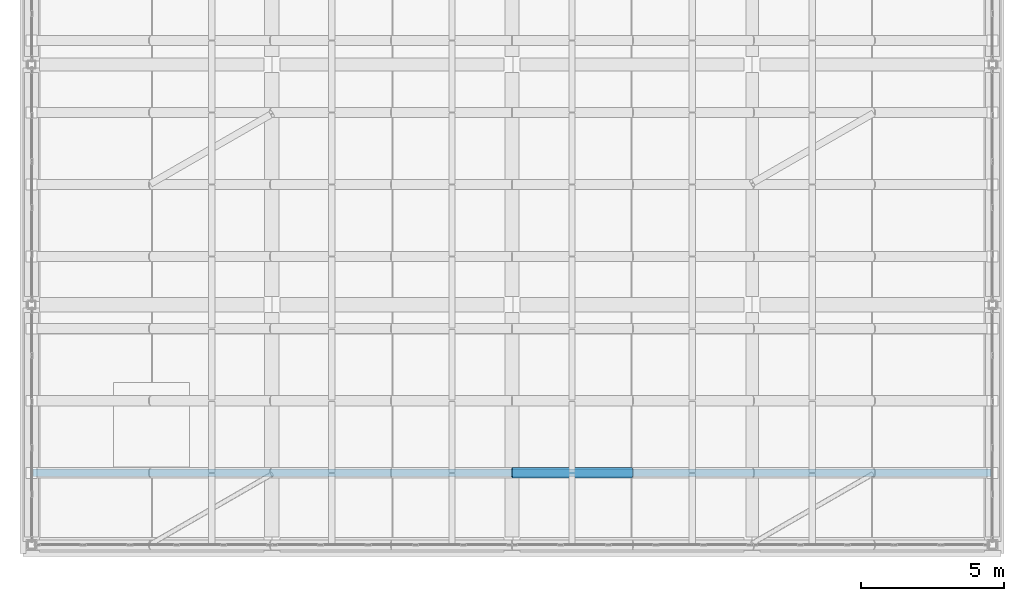
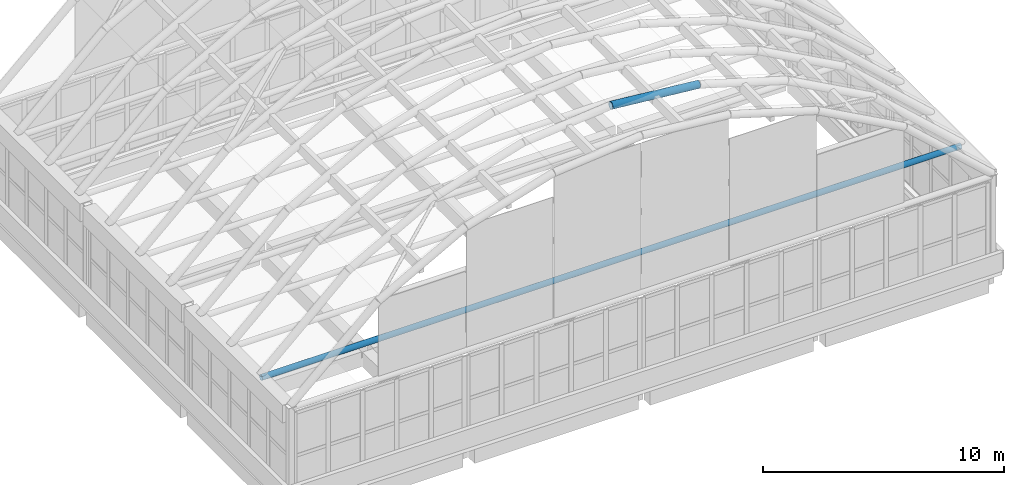
# One storey, part 8 of 26: 2 beams.
"""IFC4 building model written with IfcOpenShell, lengths in metres."""

from ifc_helpers import new_model, si_unit, direction, frame, origin, origin_2d, place, context, subcontext, project, spatial, hollow_circle, extrude, material, material_profile, profile_set, type_object, element, save


model = new_model("IFC4")

# Units and contexts
model_context = context("Model", 3, precision=1e-05, world=origin(), true_north=direction((0.0, 1.0)))
body_context = subcontext(model_context, "Body", "Model", "MODEL_VIEW")
ifc_project = project(units=[si_unit("LENGTHUNIT", "METRE"), si_unit("AREAUNIT", "SQUARE_METRE"), si_unit("VOLUMEUNIT", "CUBIC_METRE"), si_unit("PLANEANGLEUNIT", "RADIAN"), si_unit("MASSUNIT", "GRAM", prefix="KILO")], contexts=[model_context])

# Site, building, storey
site_placement = place(None, origin())
site = spatial("IfcSite", under=ifc_project, at=site_placement, CompositionType="ELEMENT")
building_placement = place(site_placement, origin())
building = spatial("IfcBuilding", under=site, at=building_placement, Name="Xazarin Passage Department Store", CompositionType="ELEMENT")
storey_placement = place(building_placement, frame((0.0, 0.0, 36.89990234375)))
storey = spatial("IfcBuildingStorey", under=building, at=storey_placement, Name="RF", CompositionType="ELEMENT", Elevation=36.89990234375)

# Beams
ifc_material = material(Name="Steel S355", Category="steel")
ifc_material_profile_1 = material_profile(ifc_material, hollow_circle(Radius=0.177734375, WallThickness=0.01611328125, at=origin_2d()), Name="CHS 355.6x16")
ifc_profile_set_1 = profile_set([ifc_material_profile_1], Name="Steel S355")
beam_type_1 = type_object("IfcBeamType", Name="STR-BM-AR355", PredefinedType="BEAM", material=ifc_profile_set_1)
beam_1_placement = place(storey_placement, frame((16.800048828125, 78.919921875, 12.60009765625), z_axis=(0.995387696044, 0.0, -0.095934011512), x_axis=(0.0, 1.0, 0.0)))
element("IfcBeam", 1, at=beam_1_placement, inside=storey, type_object=beam_type_1, Name="V1V Primary Arch Rib 2.5", PredefinedType="BEAM", context=body_context, shape_type="SweptSolid", body=[
    extrude(hollow_circle(Radius=0.177734375, WallThickness=0.01611328125, at=origin_2d()), origin(), (0.0, 0.0, 1.0), 4.219482421875),
])
ifc_material_profile_2 = material_profile(ifc_material, hollow_circle(Radius=0.136474609375, WallThickness=0.012451171875, at=origin_2d()), Name="CHS 273x12.5")
ifc_profile_set_2 = profile_set([ifc_material_profile_2], Name="Steel S355")
beam_type_2 = type_object("IfcBeamType", Name="STR-BM-TIE273", PredefinedType="BEAM", material=ifc_profile_set_2)
beam_2_placement = place(storey_placement, frame((0.050048828125, 78.919921875, 4.684326171875), z_axis=(1.0, 0.0, 0.0), x_axis=(0.0, 1.0, 0.0)))
element("IfcBeam", 2, at=beam_2_placement, inside=storey, type_object=beam_type_2, Name="V1V Arch Tie Beam 2", PredefinedType="BEAM", context=body_context, shape_type="SweptSolid", body=[
    extrude(hollow_circle(Radius=0.136474609375, WallThickness=0.012451171875, at=origin_2d()), origin(), (0.0, 0.0, 1.0), 33.5),
])

save(model, "model.ifc")
